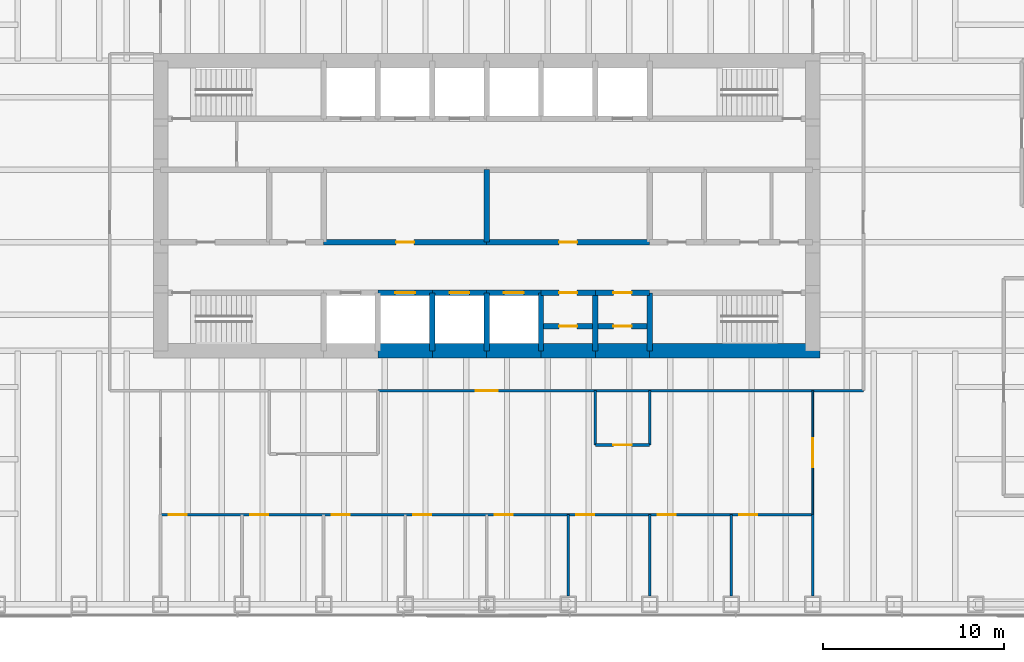
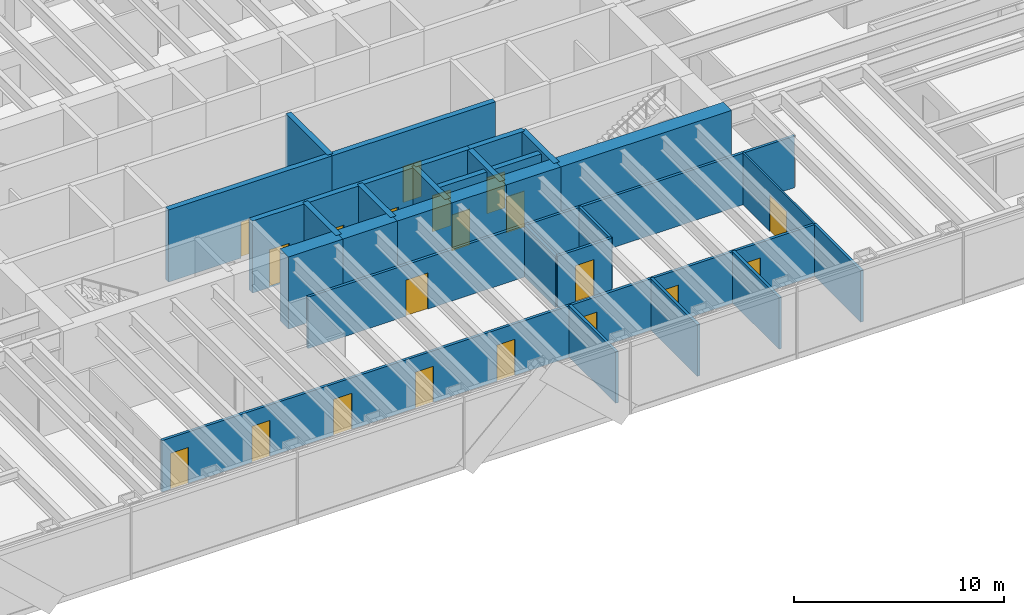
# One storey, part 11 of 14: 31 walls, 20 doors, 20 openings.
"""IFC4 building model written with IfcOpenShell, lengths in metres."""

import ifcopenshell
import ifcopenshell.guid

model = None  # the IFC model being written
_history = None  # IfcOwnerHistory: only IFC2X3 demands one
_inside = {}  # id of a spatial element -> (the spatial element, [elements in it])
_under = {}  # id of a project, library or spatial element -> (it, [spatial elements below it])
_declared = {}  # id of a project -> (the project, [libraries it declares])
_typed = {}  # id of a type object -> (the type object, [elements of that type])
_made_of = {}  # id of a material, layer set ... -> (it, [elements and type objects made of it])


def new_model(schema):
    """Start an empty IFC model of exactly this schema.

    Asked for "IFC4X3", IfcOpenShell would pick the latest addendum, in which some entities
    have other attributes; the version numbers below select the first issue.
    IFC2X3 requires an IfcOwnerHistory on every rooted entity: one is made here for all.
    """
    global model, _history
    if schema == "IFC4X3":
        model = ifcopenshell.file(schema_version=(4, 3, 0, 0))
    else:
        model = ifcopenshell.file(schema=schema)
    _inside.clear()
    _under.clear()
    _declared.clear()
    _typed.clear()
    _made_of.clear()
    _history = None
    if model.schema == "IFC2X3":
        org = make("IfcOrganization", Name="unknown")
        user = make(
            "IfcPersonAndOrganization",
            ThePerson=make("IfcPerson", FamilyName="unknown"),
            TheOrganization=org,
        )
        app = make(
            "IfcApplication",
            ApplicationDeveloper=org,
            Version="unknown",
            ApplicationFullName="unknown",
            ApplicationIdentifier="unknown",
        )
        _history = make(
            "IfcOwnerHistory",
            OwningUser=user,
            OwningApplication=app,
            ChangeAction="ADDED",
            CreationDate=0,
        )
    return model


def make(cls, **values):
    """One entity of the class cls with the attributes given. An attribute that is None is left unset."""
    return model.create_entity(
        cls, **{name: value for name, value in values.items() if value is not None}
    )


def rooted(cls, **values):
    """An entity with a GlobalId (a new one), such as an element, a storey or a relation."""
    return make(cls, GlobalId=ifcopenshell.guid.new(), OwnerHistory=_history, **values)


def si_unit(unit_type, name, prefix=None):
    """IfcSIUnit, for example si_unit("LENGTHUNIT", "METRE", prefix="MILLI")."""
    return make("IfcSIUnit", UnitType=unit_type, Prefix=prefix, Name=name)


def assignment(units):
    """IfcUnitAssignment: the units of a project."""
    return None if units is None else make("IfcUnitAssignment", Units=units)


def point(xyz):
    """IfcCartesianPoint."""
    return None if xyz is None else make("IfcCartesianPoint", Coordinates=xyz)


def direction(xyz):
    """IfcDirection."""
    return None if xyz is None else make("IfcDirection", DirectionRatios=xyz)


def frame(location, z_axis=None, x_axis=None):
    """IfcAxis2Placement3D, a coordinate frame: its origin and axes. An axis left out is left unset."""
    return make(
        "IfcAxis2Placement3D",
        Location=point(location),
        Axis=direction(z_axis),
        RefDirection=direction(x_axis),
    )


def frame_2d(location, x_axis=None):
    """IfcAxis2Placement2D, a coordinate frame in the plane: its origin and x axis."""
    return make(
        "IfcAxis2Placement2D", Location=point(location), RefDirection=direction(x_axis)
    )


def origin():
    """The frame at (0, 0, 0) with its axes left unset."""
    return frame((0.0, 0.0, 0.0))


def place(relative_to, where):
    """IfcLocalPlacement: puts the frame where relative to a parent placement (None: the world)."""
    return make(
        "IfcLocalPlacement", PlacementRelTo=relative_to, RelativePlacement=where
    )


def context(
    kind, dimensions, precision=None, world=None, true_north=None, identifier=None
):
    """IfcGeometricRepresentationContext, for example the 3D "Model" context."""
    return make(
        "IfcGeometricRepresentationContext",
        ContextIdentifier=identifier,
        ContextType=kind,
        CoordinateSpaceDimension=dimensions,
        Precision=precision,
        WorldCoordinateSystem=world,
        TrueNorth=true_north,
    )


def subcontext(parent, identifier, kind, view, scale=None):
    """IfcGeometricRepresentationSubContext, for example "Body" below "Model"."""
    return make(
        "IfcGeometricRepresentationSubContext",
        ContextIdentifier=identifier,
        ContextType=kind,
        ParentContext=parent,
        TargetScale=scale,
        TargetView=view,
    )


def project(units=None, contexts=None):
    """IfcProject with its units and contexts."""
    return rooted(
        "IfcProject",
        Name="project",
        RepresentationContexts=contexts,
        UnitsInContext=assignment(units),
    )


def spatial(cls, under=None, at=None, **own):
    """A site, building, storey or space (cls), placed at a placement, below another one or the project."""
    s = rooted(cls, ObjectPlacement=at, **own)
    if under is not None:
        _under.setdefault(under.id(), (under, []))[1].append(s)
    return s


def profile(cls, at=None, kind="AREA", **sizes):
    """A parametric profile (cls). Its sizes go by their IFC names, for example OverallWidth=200.0."""
    return make(cls, ProfileType=kind, Position=at, **sizes)


def rectangle(**sizes):
    """IfcRectangleProfileDef."""
    return profile("IfcRectangleProfileDef", **sizes)


def extrude(swept, where, along, depth):
    """IfcExtrudedAreaSolid: the profile swept, set in the frame where, extruded along a direction by depth."""
    return make(
        "IfcExtrudedAreaSolid",
        SweptArea=swept,
        Position=where,
        ExtrudedDirection=direction(along),
        Depth=depth,
    )


def shape(context_of_items, identifier, shape_type, items):
    """IfcShapeRepresentation: the items that make up one representation, for example the "Body"."""
    return make(
        "IfcShapeRepresentation",
        ContextOfItems=context_of_items,
        RepresentationIdentifier=identifier,
        RepresentationType=shape_type,
        Items=items,
    )


def material(Name=None, Category=None):
    """IfcMaterial."""
    return make("IfcMaterial", Name=Name, Category=Category)


def layer(
    of_material, thickness, ventilated=None, Name=None, Category=None, Priority=None
):
    """IfcMaterialLayer: one layer of a wall or slab, of a material (None: an air gap)."""
    return make(
        "IfcMaterialLayer",
        Material=of_material,
        LayerThickness=thickness,
        IsVentilated=ventilated,
        Name=Name,
        Category=Category,
        Priority=Priority,
    )


def layer_set(layers, Name=None):
    """IfcMaterialLayerSet."""
    return make("IfcMaterialLayerSet", MaterialLayers=layers, LayerSetName=Name)


def made_of(thing, what):
    """Note that an element or type object is made of a material, layer set ...; save() writes the relation."""
    if what is not None:
        _made_of.setdefault(what.id(), (what, []))[1].append(thing)
    return thing


def type_object(cls, material=None, **own):
    """A type object (cls), such as IfcWallType, which elements share."""
    return made_of(rooted(cls, **own), material)


def element(
    cls,
    number,
    at=None,
    inside=None,
    cuts=None,
    type_object=None,
    material=None,
    context=None,
    identifier="Body",
    shape_type=None,
    held_by="IfcProductDefinitionShape",
    body=None,
    shapes=None,
    **own,
):
    """One element of the class cls, such as IfcWall. Its Tag is "e" and its number.

    at: its placement. inside: the storey or other place that contains it. cuts: it is an
    opening in that element (IfcRelVoidsElement). A single representation is given by context,
    identifier, shape_type and body (its items); several are given by shapes. held_by: the class
    of the entity that holds the representations. save() writes the other relations.
    """
    e = rooted(cls, Tag="e%d" % number, ObjectPlacement=at, **own)
    if body is not None:
        shapes = [shape(context, identifier, shape_type, body)]
    if shapes is not None:
        e.Representation = make(held_by, Representations=shapes)
    if inside is not None:
        _inside.setdefault(inside.id(), (inside, []))[1].append(e)
    if cuts is not None:
        rooted(
            "IfcRelVoidsElement", RelatingBuildingElement=cuts, RelatedOpeningElement=e
        )
    if type_object is not None:
        _typed.setdefault(type_object.id(), (type_object, []))[1].append(e)
    return made_of(e, material)


def fill(opening, filler):
    """IfcRelFillsElement: the door or window that sits in an opening."""
    return rooted(
        "IfcRelFillsElement",
        RelatingOpeningElement=opening,
        RelatedBuildingElement=filler,
    )


def aggregate(whole, parts):
    """IfcRelAggregates: a whole, such as a stair, and the parts it consists of."""
    return rooted("IfcRelAggregates", RelatingObject=whole, RelatedObjects=parts)


def save(model, path):
    """Write the relations noted so far, then the file.

    IfcRelAggregates (storeys below a building ...), IfcRelContainedInSpatialStructure (elements
    in a storey), IfcRelDefinesByType, IfcRelAssociatesMaterial and IfcRelDeclares: one each for
    every whole, place, type object, material and project.
    """
    for whole, parts in _under.values():
        aggregate(whole, parts)
    for where, things in _inside.values():
        rooted(
            "IfcRelContainedInSpatialStructure",
            RelatedElements=things,
            RelatingStructure=where,
        )
    for kind, things in _typed.values():
        rooted("IfcRelDefinesByType", RelatedObjects=things, RelatingType=kind)
    for what, things in _made_of.values():
        rooted("IfcRelAssociatesMaterial", RelatedObjects=things, RelatingMaterial=what)
    for by, libraries in _declared.values():
        rooted("IfcRelDeclares", RelatingContext=by, RelatedDefinitions=libraries)
    model.write(path)


model = new_model("IFC4")

# Units and contexts
model_context = context("Model", 3, precision=1e-05, world=origin(), true_north=direction((0.0, 1.0)))
body_context = subcontext(model_context, "Body", "Model", "MODEL_VIEW")
ifc_project = project(units=[si_unit("LENGTHUNIT", "METRE"), si_unit("AREAUNIT", "SQUARE_METRE"), si_unit("VOLUMEUNIT", "CUBIC_METRE"), si_unit("PLANEANGLEUNIT", "RADIAN"), si_unit("MASSUNIT", "GRAM", prefix="KILO")], contexts=[model_context])

# Site, building, storey
site_placement = place(None, origin())
site = spatial("IfcSite", under=ifc_project, at=site_placement, CompositionType="ELEMENT")
building_placement = place(site_placement, origin())
building = spatial("IfcBuilding", under=site, at=building_placement, Name="Rheinbord Bourse Tower", CompositionType="ELEMENT")
storey_placement = place(building_placement, frame((0.0, 0.0, 211.0)))
storey = spatial("IfcBuildingStorey", under=building, at=storey_placement, Name="L47", CompositionType="ELEMENT", Elevation=211.0)

# Wall, opening, door
ifc_material_1 = material(Name="Concrete C50/60", Category="concrete")
ifc_layer_1 = layer(ifc_material_1, 0.300048828125)
ifc_layer_set_1 = layer_set([ifc_layer_1], Name="CORE INNER WALL 300")
wall_type_1 = type_object("IfcWallType", Name="CORE INNER WALL 300", PredefinedType="SOLIDWALL", material=ifc_layer_set_1)
wall_1_placement = place(storey_placement, frame((30.0, 19.199951171875, 0.0), z_axis=(0.0, 0.0, 1.0), x_axis=(1.0, 0.0, 0.0)))
wall_1 = element("IfcWall", 1, at=wall_1_placement, inside=storey, type_object=wall_type_1, Name="Core wall A3 L47", PredefinedType="SOLIDWALL", context=body_context, shape_type="SweptSolid", body=[
    extrude(rectangle(XDim=3.0, YDim=0.300048828125, at=frame_2d((1.5, 0.0))), origin(), (0.0, 0.0, 1.0), 4.199951171875),
])
opening_1_placement = place(wall_1_placement, frame((0.949951171875, 0.0, 0.0)))
opening_1 = element("IfcOpeningElement", 2, at=opening_1_placement, cuts=wall_1, Name="Opening PC1", PredefinedType="OPENING", context=body_context, shape_type="SweptSolid", body=[
    extrude(rectangle(XDim=1.10009765625, YDim=2.199951171875, at=frame_2d((0.550048828125, 1.10009765625))), frame((0.0, 0.159912109375, 0.0), z_axis=(0.0, -1.0, 0.0), x_axis=(1.0, 0.0, 0.0)), (0.0, 0.0, 1.0), 0.320068359375),
])
ifc_material_2 = material(Name="Steel landing door", Category="steel")
door_type_1 = type_object("IfcDoorType", Name="LIFT LANDING DOOR 1100", OperationType="DOUBLE_DOOR_SLIDING", PredefinedType="USERDEFINED", material=ifc_material_2)
door_1_placement = place(opening_1_placement, origin())
door_1 = element("IfcDoor", 3, at=door_1_placement, inside=storey, type_object=door_type_1, Name="Lift landing door PC1 L47", ObjectType="LIFT LANDING DOOR", OperationType="DOUBLE_DOOR_SLIDING", OverallHeight=2.199951171875, OverallWidth=1.10009765625, PredefinedType="USERDEFINED", context=body_context, shape_type="SweptSolid", body=[
    extrude(rectangle(XDim=1.10009765625, YDim=2.199951171875, at=frame_2d((0.550048828125, 1.10009765625))), frame((0.0, 0.02490234375, 0.0), z_axis=(0.0, -1.0, 0.0), x_axis=(1.0, 0.0, 0.0)), (0.0, 0.0, 1.0), 0.050048828125),
])
fill(opening_1, door_1)

wall_2_placement = place(storey_placement, frame((33.0, 19.199951171875, 0.0), z_axis=(0.0, 0.0, 1.0), x_axis=(1.0, 0.0, 0.0)))
wall_2 = element("IfcWall", 4, at=wall_2_placement, inside=storey, type_object=wall_type_1, Name="Core wall A4 L47", PredefinedType="SOLIDWALL", context=body_context, shape_type="SweptSolid", body=[
    extrude(rectangle(XDim=3.0, YDim=0.300048828125, at=frame_2d((1.5, 0.0))), origin(), (0.0, 0.0, 1.0), 4.199951171875),
])
opening_2_placement = place(wall_2_placement, frame((0.949951171875, 0.0, 0.0)))
opening_2 = element("IfcOpeningElement", 5, at=opening_2_placement, cuts=wall_2, Name="Opening PC2", PredefinedType="OPENING", context=body_context, shape_type="SweptSolid", body=[
    extrude(rectangle(XDim=1.10009765625, YDim=2.199951171875, at=frame_2d((0.550048828125, 1.10009765625))), frame((0.0, 0.159912109375, 0.0), z_axis=(0.0, -1.0, 0.0), x_axis=(1.0, 0.0, 0.0)), (0.0, 0.0, 1.0), 0.320068359375),
])
door_2_placement = place(opening_2_placement, origin())
door_2 = element("IfcDoor", 6, at=door_2_placement, inside=storey, type_object=door_type_1, Name="Lift landing door PC2 L47", ObjectType="LIFT LANDING DOOR", OperationType="DOUBLE_DOOR_SLIDING", OverallHeight=2.199951171875, OverallWidth=1.10009765625, PredefinedType="USERDEFINED", context=body_context, shape_type="SweptSolid", body=[
    extrude(rectangle(XDim=1.10009765625, YDim=2.199951171875, at=frame_2d((0.550048828125, 1.10009765625))), frame((0.0, 0.02490234375, 0.0), z_axis=(0.0, -1.0, 0.0), x_axis=(1.0, 0.0, 0.0)), (0.0, 0.0, 1.0), 0.050048828125),
])
fill(opening_2, door_2)

wall_3_placement = place(storey_placement, frame((36.0, 19.199951171875, 0.0), z_axis=(0.0, 0.0, 1.0), x_axis=(1.0, 0.0, 0.0)))
wall_3 = element("IfcWall", 7, at=wall_3_placement, inside=storey, type_object=wall_type_1, Name="Core wall A5 L47", PredefinedType="SOLIDWALL", context=body_context, shape_type="SweptSolid", body=[
    extrude(rectangle(XDim=3.0, YDim=0.300048828125, at=frame_2d((1.5, 0.0))), origin(), (0.0, 0.0, 1.0), 4.199951171875),
])
opening_3_placement = place(wall_3_placement, frame((0.949951171875, 0.0, 0.0)))
opening_3 = element("IfcOpeningElement", 8, at=opening_3_placement, cuts=wall_3, Name="Opening PC3", PredefinedType="OPENING", context=body_context, shape_type="SweptSolid", body=[
    extrude(rectangle(XDim=1.10009765625, YDim=2.199951171875, at=frame_2d((0.550048828125, 1.10009765625))), frame((0.0, 0.159912109375, 0.0), z_axis=(0.0, -1.0, 0.0), x_axis=(1.0, 0.0, 0.0)), (0.0, 0.0, 1.0), 0.320068359375),
])
door_3_placement = place(opening_3_placement, origin())
door_3 = element("IfcDoor", 9, at=door_3_placement, inside=storey, type_object=door_type_1, Name="Lift landing door PC3 L47", ObjectType="LIFT LANDING DOOR", OperationType="DOUBLE_DOOR_SLIDING", OverallHeight=2.199951171875, OverallWidth=1.10009765625, PredefinedType="USERDEFINED", context=body_context, shape_type="SweptSolid", body=[
    extrude(rectangle(XDim=1.10009765625, YDim=2.199951171875, at=frame_2d((0.550048828125, 1.10009765625))), frame((0.0, 0.02490234375, 0.0), z_axis=(0.0, -1.0, 0.0), x_axis=(1.0, 0.0, 0.0)), (0.0, 0.0, 1.0), 0.050048828125),
])
fill(opening_3, door_3)

wall_4_placement = place(storey_placement, frame((39.0, 19.199951171875, 0.0), z_axis=(0.0, 0.0, 1.0), x_axis=(1.0, 0.0, 0.0)))
wall_4 = element("IfcWall", 10, at=wall_4_placement, inside=storey, type_object=wall_type_1, Name="Core wall A6 L47", PredefinedType="SOLIDWALL", context=body_context, shape_type="SweptSolid", body=[
    extrude(rectangle(XDim=3.0, YDim=0.300048828125, at=frame_2d((1.5, 0.0))), origin(), (0.0, 0.0, 1.0), 4.199951171875),
])
opening_4_placement = place(wall_4_placement, frame((1.0, 0.0, 0.0)))
opening_4 = element("IfcOpeningElement", 11, at=opening_4_placement, cuts=wall_4, Name="Opening 47R8", PredefinedType="OPENING", context=body_context, shape_type="SweptSolid", body=[
    extrude(rectangle(XDim=1.0, YDim=2.10009765625, at=frame_2d((0.5, 1.050048828125))), frame((0.0, 0.159912109375, 0.0), z_axis=(0.0, -1.0, 0.0), x_axis=(1.0, 0.0, 0.0)), (0.0, 0.0, 1.0), 0.320068359375),
])
ifc_material_3 = material(Name="Steel door", Category="steel")
door_type_2 = type_object("IfcDoorType", Name="DOOR 1000 EI30", OperationType="SINGLE_SWING_LEFT", PredefinedType="DOOR", material=ifc_material_3)
door_4_placement = place(opening_4_placement, origin())
door_4 = element("IfcDoor", 12, at=door_4_placement, inside=storey, type_object=door_type_2, Name="IT room door L47", OperationType="SINGLE_SWING_LEFT", OverallHeight=2.10009765625, OverallWidth=1.0, PredefinedType="DOOR", context=body_context, shape_type="SweptSolid", body=[
    extrude(rectangle(XDim=1.0, YDim=2.10009765625, at=frame_2d((0.5, 1.050048828125))), frame((0.0, 0.02490234375, 0.0), z_axis=(0.0, -1.0, 0.0), x_axis=(1.0, 0.0, 0.0)), (0.0, 0.0, 1.0), 0.050048828125),
])
fill(opening_4, door_4)

wall_5_placement = place(storey_placement, frame((42.0, 19.199951171875, 0.0), z_axis=(0.0, 0.0, 1.0), x_axis=(1.0, 0.0, 0.0)))
wall_5 = element("IfcWall", 13, at=wall_5_placement, inside=storey, type_object=wall_type_1, Name="Core wall A7 L47", PredefinedType="SOLIDWALL", context=body_context, shape_type="SweptSolid", body=[
    extrude(rectangle(XDim=3.0, YDim=0.300048828125, at=frame_2d((1.5, 0.0))), origin(), (0.0, 0.0, 1.0), 4.199951171875),
])
opening_5_placement = place(wall_5_placement, frame((1.0, 0.0, 0.0)))
opening_5 = element("IfcOpeningElement", 14, at=opening_5_placement, cuts=wall_5, Name="Opening 47R9", PredefinedType="OPENING", context=body_context, shape_type="SweptSolid", body=[
    extrude(rectangle(XDim=1.0, YDim=2.10009765625, at=frame_2d((0.5, 1.050048828125))), frame((0.0, 0.159912109375, 0.0), z_axis=(0.0, -1.0, 0.0), x_axis=(1.0, 0.0, 0.0)), (0.0, 0.0, 1.0), 0.320068359375),
])
door_5_placement = place(opening_5_placement, origin())
door_5 = element("IfcDoor", 15, at=door_5_placement, inside=storey, type_object=door_type_2, Name="Cleaner's store door L47", OperationType="SINGLE_SWING_LEFT", OverallHeight=2.10009765625, OverallWidth=1.0, PredefinedType="DOOR", context=body_context, shape_type="SweptSolid", body=[
    extrude(rectangle(XDim=1.0, YDim=2.10009765625, at=frame_2d((0.5, 1.050048828125))), frame((0.0, 0.02490234375, 0.0), z_axis=(0.0, -1.0, 0.0), x_axis=(1.0, 0.0, 0.0)), (0.0, 0.0, 1.0), 0.050048828125),
])
fill(opening_5, door_5)

wall_6_placement = place(storey_placement, frame((27.0, 22.0, 0.0), z_axis=(0.0, 0.0, 1.0), x_axis=(1.0, 0.0, 0.0)))
wall_6 = element("IfcWall", 16, at=wall_6_placement, inside=storey, type_object=wall_type_1, Name="Core wall C3 L47", PredefinedType="SOLIDWALL", context=body_context, shape_type="SweptSolid", body=[
    extrude(rectangle(XDim=9.0, YDim=0.300048828125, at=frame_2d((4.5, 0.0))), origin(), (0.0, 0.0, 1.0), 4.199951171875),
])
opening_6_placement = place(wall_6_placement, frame((4.0, 0.0, 0.0)))
opening_6 = element("IfcOpeningElement", 17, at=opening_6_placement, cuts=wall_6, Name="Opening 47R3", PredefinedType="OPENING", context=body_context, shape_type="SweptSolid", body=[
    extrude(rectangle(XDim=1.0, YDim=2.10009765625, at=frame_2d((0.5, 1.050048828125))), frame((0.0, 0.159912109375, 0.0), z_axis=(0.0, -1.0, 0.0), x_axis=(1.0, 0.0, 0.0)), (0.0, 0.0, 1.0), 0.320068359375),
])
door_6_placement = place(opening_6_placement, origin())
door_6 = element("IfcDoor", 18, at=door_6_placement, inside=storey, type_object=door_type_2, Name="Riser door L47", OperationType="SINGLE_SWING_LEFT", OverallHeight=2.10009765625, OverallWidth=1.0, PredefinedType="DOOR", context=body_context, shape_type="SweptSolid", body=[
    extrude(rectangle(XDim=1.0, YDim=2.10009765625, at=frame_2d((0.5, 1.050048828125))), frame((0.0, 0.02490234375, 0.0), z_axis=(0.0, -1.0, 0.0), x_axis=(1.0, 0.0, 0.0)), (0.0, 0.0, 1.0), 0.050048828125),
])
fill(opening_6, door_6)

wall_7_placement = place(storey_placement, frame((36.0, 22.0, 0.0), z_axis=(0.0, 0.0, 1.0), x_axis=(1.0, 0.0, 0.0)))
wall_7 = element("IfcWall", 19, at=wall_7_placement, inside=storey, type_object=wall_type_1, Name="Core wall C4 L47", PredefinedType="SOLIDWALL", context=body_context, shape_type="SweptSolid", body=[
    extrude(rectangle(XDim=9.0, YDim=0.300048828125, at=frame_2d((4.5, 0.0))), origin(), (0.0, 0.0, 1.0), 4.199951171875),
])
opening_7_placement = place(wall_7_placement, frame((4.0, 0.0, 0.0)))
opening_7 = element("IfcOpeningElement", 20, at=opening_7_placement, cuts=wall_7, Name="Opening 47R4", PredefinedType="OPENING", context=body_context, shape_type="SweptSolid", body=[
    extrude(rectangle(XDim=1.0, YDim=2.10009765625, at=frame_2d((0.5, 1.050048828125))), frame((0.0, 0.159912109375, 0.0), z_axis=(0.0, -1.0, 0.0), x_axis=(1.0, 0.0, 0.0)), (0.0, 0.0, 1.0), 0.320068359375),
])
door_7_placement = place(opening_7_placement, origin())
door_7 = element("IfcDoor", 21, at=door_7_placement, inside=storey, type_object=door_type_2, Name="Store door L47", OperationType="SINGLE_SWING_LEFT", OverallHeight=2.10009765625, OverallWidth=1.0, PredefinedType="DOOR", context=body_context, shape_type="SweptSolid", body=[
    extrude(rectangle(XDim=1.0, YDim=2.10009765625, at=frame_2d((0.5, 1.050048828125))), frame((0.0, 0.02490234375, 0.0), z_axis=(0.0, -1.0, 0.0), x_axis=(1.0, 0.0, 0.0)), (0.0, 0.0, 1.0), 0.050048828125),
])
fill(opening_7, door_7)

# Walls
for number, where, z_axis, x_axis, name in (
    (22, (33.0, 16.0, 0.0), (0.0, 0.0, 1.0), (0.0, 1.0, 0.0), "Core wall SX33 L47"),
    (23, (36.0, 16.0, 0.0), (0.0, 0.0, 1.0), (0.0, 1.0, 0.0), "Core wall SX36 L47"),
    (24, (39.0, 16.0, 0.0), (0.0, 0.0, 1.0), (0.0, 1.0, 0.0), "Core wall SX39 L47"),
    (25, (42.0, 16.0, 0.0), (0.0, 0.0, 1.0), (0.0, 1.0, 0.0), "Core wall SX42 L47"),
    (26, (45.0, 16.0, 0.0), (0.0, 0.0, 1.0), (0.0, 1.0, 0.0), "Core wall SX45 L47"),
):
    element("IfcWall", number, at=place(storey_placement, frame(where, z_axis=z_axis, x_axis=x_axis)), inside=storey, type_object=wall_type_1, Name=name, PredefinedType="SOLIDWALL", context=body_context, shape_type="SweptSolid", body=[
        extrude(rectangle(XDim=3.199951171875, YDim=0.300048828125, at=frame_2d((1.60009765625, 0.0))), origin(), (0.0, 0.0, 1.0), 4.199951171875),
    ])
wall_8_placement = place(storey_placement, frame((36.0, 22.0, 0.0), z_axis=(0.0, 0.0, 1.0), x_axis=(0.0, 1.0, 0.0)))
element("IfcWall", 27, at=wall_8_placement, inside=storey, type_object=wall_type_1, Name="Core wall MX36 L47", PredefinedType="SOLIDWALL", context=body_context, shape_type="SweptSolid", body=[
    extrude(rectangle(XDim=4.0, YDim=0.300048828125, at=frame_2d((2.0, 0.0))), origin(), (0.0, 0.0, 1.0), 4.199951171875),
])

# Wall, opening, door
wall_9_placement = place(storey_placement, frame((39.14990234375, 17.35009765625, 0.0), z_axis=(0.0, 0.0, 1.0), x_axis=(1.0, 0.0, 0.0)))
wall_9 = element("IfcWall", 28, at=wall_9_placement, inside=storey, type_object=wall_type_1, Name="Core riser wall L47-6", PredefinedType="SOLIDWALL", context=body_context, shape_type="SweptSolid", body=[
    extrude(rectangle(XDim=2.7001953125, YDim=0.300048828125, at=frame_2d((1.35009765625, 0.0))), origin(), (0.0, 0.0, 1.0), 4.0400390625),
])
opening_8_placement = place(wall_9_placement, frame((0.85009765625, 0.0, 0.0)))
opening_8 = element("IfcOpeningElement", 29, at=opening_8_placement, cuts=wall_9, Name="Opening 47R12", PredefinedType="OPENING", context=body_context, shape_type="SweptSolid", body=[
    extrude(rectangle(XDim=1.0, YDim=2.10009765625, at=frame_2d((0.5, 1.050048828125))), frame((0.0, 0.159912109375, 0.0), z_axis=(0.0, -1.0, 0.0), x_axis=(1.0, 0.0, 0.0)), (0.0, 0.0, 1.0), 0.320068359375),
])
door_8_placement = place(opening_8_placement, origin())
door_8 = element("IfcDoor", 30, at=door_8_placement, inside=storey, type_object=door_type_2, Name="Comms riser door L47", OperationType="SINGLE_SWING_LEFT", OverallHeight=2.10009765625, OverallWidth=1.0, PredefinedType="DOOR", context=body_context, shape_type="SweptSolid", body=[
    extrude(rectangle(XDim=1.0, YDim=2.10009765625, at=frame_2d((0.5, 1.050048828125))), frame((0.0, 0.02490234375, 0.0), z_axis=(0.0, -1.0, 0.0), x_axis=(1.0, 0.0, 0.0)), (0.0, 0.0, 1.0), 0.050048828125),
])
fill(opening_8, door_8)

wall_10_placement = place(storey_placement, frame((42.14990234375, 17.35009765625, 0.0), z_axis=(0.0, 0.0, 1.0), x_axis=(1.0, 0.0, 0.0)))
wall_10 = element("IfcWall", 31, at=wall_10_placement, inside=storey, type_object=wall_type_1, Name="Core riser wall L47-7", PredefinedType="SOLIDWALL", context=body_context, shape_type="SweptSolid", body=[
    extrude(rectangle(XDim=2.7001953125, YDim=0.300048828125, at=frame_2d((1.35009765625, 0.0))), origin(), (0.0, 0.0, 1.0), 4.0400390625),
])
opening_9_placement = place(wall_10_placement, frame((0.85009765625, 0.0, 0.0)))
opening_9 = element("IfcOpeningElement", 32, at=opening_9_placement, cuts=wall_10, Name="Opening 47R13", PredefinedType="OPENING", context=body_context, shape_type="SweptSolid", body=[
    extrude(rectangle(XDim=1.0, YDim=2.10009765625, at=frame_2d((0.5, 1.050048828125))), frame((0.0, 0.159912109375, 0.0), z_axis=(0.0, -1.0, 0.0), x_axis=(1.0, 0.0, 0.0)), (0.0, 0.0, 1.0), 0.320068359375),
])
door_9_placement = place(opening_9_placement, origin())
door_9 = element("IfcDoor", 33, at=door_9_placement, inside=storey, type_object=door_type_2, Name="Electrical riser door L47", OperationType="SINGLE_SWING_LEFT", OverallHeight=2.10009765625, OverallWidth=1.0, PredefinedType="DOOR", context=body_context, shape_type="SweptSolid", body=[
    extrude(rectangle(XDim=1.0, YDim=2.10009765625, at=frame_2d((0.5, 1.050048828125))), frame((0.0, 0.02490234375, 0.0), z_axis=(0.0, -1.0, 0.0), x_axis=(1.0, 0.0, 0.0)), (0.0, 0.0, 1.0), 0.050048828125),
])
fill(opening_9, door_9)

# Walls
ifc_material_4 = material(Name="Concrete C50/60", Category="concrete")
ifc_layer_2 = layer(ifc_material_4, 0.800048828125)
ifc_layer_set_2 = layer_set([ifc_layer_2], Name="CORE WALL 800")
wall_type_2 = type_object("IfcWallType", Name="CORE WALL 800", PredefinedType="SHEAR", material=ifc_layer_set_2)
for number, where, z_axis, x_axis, name in (
    (34, (30.0, 16.0, 0.0), (0.0, 0.0, 1.0), (1.0, 0.0, 0.0), "Core wall S3 L47"),
    (35, (33.0, 16.0, 0.0), (0.0, 0.0, 1.0), (1.0, 0.0, 0.0), "Core wall S4 L47"),
    (36, (36.0, 16.0, 0.0), (0.0, 0.0, 1.0), (1.0, 0.0, 0.0), "Core wall S5 L47"),
    (37, (39.0, 16.0, 0.0), (0.0, 0.0, 1.0), (1.0, 0.0, 0.0), "Core wall S6 L47"),
    (38, (42.0, 16.0, 0.0), (0.0, 0.0, 1.0), (1.0, 0.0, 0.0), "Core wall S7 L47"),
):
    element("IfcWall", number, at=place(storey_placement, frame(where, z_axis=z_axis, x_axis=x_axis)), inside=storey, type_object=wall_type_2, Name=name, PredefinedType="SHEAR", context=body_context, shape_type="SweptSolid", body=[
        extrude(rectangle(XDim=3.0, YDim=0.800048828125, at=frame_2d((1.5, 0.0))), origin(), (0.0, 0.0, 1.0), 4.199951171875),
    ])
wall_11_placement = place(storey_placement, frame((45.0, 16.0, 0.0), z_axis=(0.0, 0.0, 1.0), x_axis=(1.0, 0.0, 0.0)))
element("IfcWall", 39, at=wall_11_placement, inside=storey, type_object=wall_type_2, Name="Core wall S8 L47", PredefinedType="SHEAR", context=body_context, shape_type="SweptSolid", body=[
    extrude(rectangle(XDim=9.39990234375, YDim=0.800048828125, at=frame_2d((4.699951171875, 0.0))), origin(), (0.0, 0.0, 1.0), 4.199951171875),
])

# Wall, opening, door
ifc_material_5 = material(Name="Gypsum board corridor partition", Category="gypsum board")
ifc_layer_3 = layer(ifc_material_5, 0.14990234375)
ifc_layer_set_3 = layer_set([ifc_layer_3], Name="CORRIDOR PARTITION 150 EI30")
wall_type_3 = type_object("IfcWallType", Name="CORRIDOR PARTITION 150 EI30", PredefinedType="PARTITIONING", material=ifc_layer_set_3)
wall_12_placement = place(storey_placement, frame((30.0, 13.800048828125, 0.0), z_axis=(0.0, 0.0, 1.0), x_axis=(1.0, 0.0, 0.0)))
wall_12 = element("IfcWall", 40, at=wall_12_placement, inside=storey, type_object=wall_type_3, Name="Partition L47-08", PredefinedType="PARTITIONING", context=body_context, shape_type="SweptSolid", body=[
    extrude(rectangle(XDim=26.800048828125, YDim=0.14990234375, at=frame_2d((13.39990234375, 0.0))), origin(), (0.0, 0.0, 1.0), 3.0),
])
opening_10_placement = place(wall_12_placement, frame((5.39990234375, 0.0, 0.0)))
opening_10 = element("IfcOpeningElement", 41, at=opening_10_placement, cuts=wall_12, Name="Opening 47D29", PredefinedType="OPENING", context=body_context, shape_type="SweptSolid", body=[
    extrude(rectangle(XDim=1.199951171875, YDim=2.10009765625, at=frame_2d((0.60009765625, 1.050048828125))), frame((0.0, 0.0849609375, 0.0), z_axis=(0.0, -1.0, 0.0), x_axis=(1.0, 0.0, 0.0)), (0.0, 0.0, 1.0), 0.169921875),
])
ifc_material_6 = material(Name="Timber fire door", Category="wood")
door_type_3 = type_object("IfcDoorType", Name="SUITE ENTRANCE DOOR 1200 EI30", OperationType="SINGLE_SWING_LEFT", PredefinedType="DOOR", material=ifc_material_6)
door_10_placement = place(opening_10_placement, origin())
door_10 = element("IfcDoor", 42, at=door_10_placement, inside=storey, type_object=door_type_3, Name="Suite entrance 3 door L47", OperationType="SINGLE_SWING_LEFT", OverallHeight=2.10009765625, OverallWidth=1.199951171875, PredefinedType="DOOR", context=body_context, shape_type="SweptSolid", body=[
    extrude(rectangle(XDim=1.199951171875, YDim=2.10009765625, at=frame_2d((0.60009765625, 1.050048828125))), frame((0.0, 0.02490234375, 0.0), z_axis=(0.0, -1.0, 0.0), x_axis=(1.0, 0.0, 0.0)), (0.0, 0.0, 1.0), 0.050048828125),
])
fill(opening_10, door_10)

ifc_material_7 = material(Name="Toughened laminated glass partition", Category="glass")
ifc_layer_4 = layer(ifc_material_7, 0.10009765625)
ifc_layer_set_4 = layer_set([ifc_layer_4], Name="GLAZED PARTITION 100")
wall_type_4 = type_object("IfcWallType", Name="GLAZED PARTITION 100", PredefinedType="PARTITIONING", material=ifc_layer_set_4)
wall_13_placement = place(storey_placement, frame((54.0, 6.949951171875, 0.0), z_axis=(0.0, 0.0, 1.0), x_axis=(0.0, 1.0, 0.0)))
wall_13 = element("IfcWall", 43, at=wall_13_placement, inside=storey, type_object=wall_type_4, Name="Partition L47-41", PredefinedType="PARTITIONING", context=body_context, shape_type="SweptSolid", body=[
    extrude(rectangle(XDim=6.85009765625, YDim=0.10009765625, at=frame_2d((3.425048828125, 0.0))), origin(), (0.0, 0.0, 1.0), 3.0),
])
opening_11_placement = place(wall_13_placement, frame((2.625, 0.0, 0.0)))
opening_11 = element("IfcOpeningElement", 44, at=opening_11_placement, cuts=wall_13, Name="Opening 47D25", PredefinedType="OPENING", context=body_context, shape_type="SweptSolid", body=[
    extrude(rectangle(XDim=1.60009765625, YDim=2.10009765625, at=frame_2d((0.800048828125, 1.050048828125))), frame((0.0, 0.06005859375, 0.0), z_axis=(0.0, -1.0, 0.0), x_axis=(1.0, 0.0, 0.0)), (0.0, 0.0, 1.0), 0.1201171875),
])
ifc_material_8 = material(Name="Timber door", Category="wood")
door_type_4 = type_object("IfcDoorType", Name="DOUBLE ROOM DOOR 1600", OperationType="DOUBLE_DOOR_DOUBLE_SWING", PredefinedType="DOOR", material=ifc_material_8)
door_11_placement = place(opening_11_placement, origin())
door_11 = element("IfcDoor", 45, at=door_11_placement, inside=storey, type_object=door_type_4, Name="Open area door L47", OperationType="SINGLE_SWING_LEFT", OverallHeight=2.10009765625, OverallWidth=1.60009765625, PredefinedType="DOOR", context=body_context, shape_type="SweptSolid", body=[
    extrude(rectangle(XDim=1.60009765625, YDim=2.10009765625, at=frame_2d((0.800048828125, 1.050048828125))), frame((0.0, 0.02490234375, 0.0), z_axis=(0.0, -1.0, 0.0), x_axis=(1.0, 0.0, 0.0)), (0.0, 0.0, 1.0), 0.050048828125),
])
fill(opening_11, door_11)

# Wall, openings, doors
ifc_material_9 = material(Name="Gypsum board partition", Category="gypsum board")
ifc_layer_5 = layer(ifc_material_9, 0.14990234375)
ifc_layer_set_5 = layer_set([ifc_layer_5], Name="PARTITION 150")
wall_type_5 = type_object("IfcWallType", Name="PARTITION 150", PredefinedType="PARTITIONING", material=ifc_layer_set_5)
wall_14_placement = place(storey_placement, frame((18.0, 6.949951171875, 0.0), z_axis=(0.0, 0.0, 1.0), x_axis=(1.0, 0.0, 0.0)))
wall_14 = element("IfcWall", 46, at=wall_14_placement, inside=storey, type_object=wall_type_5, Name="Partition L47-01", PredefinedType="PARTITIONING", context=body_context, shape_type="SweptSolid", body=[
    extrude(rectangle(XDim=36.0, YDim=0.14990234375, at=frame_2d((18.0, 0.0))), origin(), (0.0, 0.0, 1.0), 3.0),
])
opening_12_placement = place(wall_14_placement, frame((0.449951171875, 0.0, 0.0)))
opening_12 = element("IfcOpeningElement", 47, at=opening_12_placement, cuts=wall_14, Name="Opening 47D01", PredefinedType="OPENING", context=body_context, shape_type="SweptSolid", body=[
    extrude(rectangle(XDim=1.0, YDim=2.10009765625, at=frame_2d((0.5, 1.050048828125))), frame((0.0, 0.0849609375, 0.0), z_axis=(0.0, -1.0, 0.0), x_axis=(1.0, 0.0, 0.0)), (0.0, 0.0, 1.0), 0.169921875),
])
opening_13_placement = place(wall_14_placement, frame((4.949951171875, 0.0, 0.0)))
opening_13 = element("IfcOpeningElement", 48, at=opening_13_placement, cuts=wall_14, Name="Opening 47D02", PredefinedType="OPENING", context=body_context, shape_type="SweptSolid", body=[
    extrude(rectangle(XDim=1.0, YDim=2.10009765625, at=frame_2d((0.5, 1.050048828125))), frame((0.0, 0.0849609375, 0.0), z_axis=(0.0, -1.0, 0.0), x_axis=(1.0, 0.0, 0.0)), (0.0, 0.0, 1.0), 0.169921875),
])
opening_14_placement = place(wall_14_placement, frame((9.449951171875, 0.0, 0.0)))
opening_14 = element("IfcOpeningElement", 49, at=opening_14_placement, cuts=wall_14, Name="Opening 47D03", PredefinedType="OPENING", context=body_context, shape_type="SweptSolid", body=[
    extrude(rectangle(XDim=1.0, YDim=2.10009765625, at=frame_2d((0.5, 1.050048828125))), frame((0.0, 0.0849609375, 0.0), z_axis=(0.0, -1.0, 0.0), x_axis=(1.0, 0.0, 0.0)), (0.0, 0.0, 1.0), 0.169921875),
])
opening_15_placement = place(wall_14_placement, frame((13.949951171875, 0.0, 0.0)))
opening_15 = element("IfcOpeningElement", 50, at=opening_15_placement, cuts=wall_14, Name="Opening 47D04", PredefinedType="OPENING", context=body_context, shape_type="SweptSolid", body=[
    extrude(rectangle(XDim=1.0, YDim=2.10009765625, at=frame_2d((0.5, 1.050048828125))), frame((0.0, 0.0849609375, 0.0), z_axis=(0.0, -1.0, 0.0), x_axis=(1.0, 0.0, 0.0)), (0.0, 0.0, 1.0), 0.169921875),
])
opening_16_placement = place(wall_14_placement, frame((18.449951171875, 0.0, 0.0)))
opening_16 = element("IfcOpeningElement", 51, at=opening_16_placement, cuts=wall_14, Name="Opening 47D05", PredefinedType="OPENING", context=body_context, shape_type="SweptSolid", body=[
    extrude(rectangle(XDim=1.0, YDim=2.10009765625, at=frame_2d((0.5, 1.050048828125))), frame((0.0, 0.0849609375, 0.0), z_axis=(0.0, -1.0, 0.0), x_axis=(1.0, 0.0, 0.0)), (0.0, 0.0, 1.0), 0.169921875),
])
opening_17_placement = place(wall_14_placement, frame((22.949951171875, 0.0, 0.0)))
opening_17 = element("IfcOpeningElement", 52, at=opening_17_placement, cuts=wall_14, Name="Opening 47D06", PredefinedType="OPENING", context=body_context, shape_type="SweptSolid", body=[
    extrude(rectangle(XDim=1.0, YDim=2.10009765625, at=frame_2d((0.5, 1.050048828125))), frame((0.0, 0.0849609375, 0.0), z_axis=(0.0, -1.0, 0.0), x_axis=(1.0, 0.0, 0.0)), (0.0, 0.0, 1.0), 0.169921875),
])
opening_18_placement = place(wall_14_placement, frame((27.449951171875, 0.0, 0.0)))
opening_18 = element("IfcOpeningElement", 53, at=opening_18_placement, cuts=wall_14, Name="Opening 47D07", PredefinedType="OPENING", context=body_context, shape_type="SweptSolid", body=[
    extrude(rectangle(XDim=1.0, YDim=2.10009765625, at=frame_2d((0.5, 1.050048828125))), frame((0.0, 0.0849609375, 0.0), z_axis=(0.0, -1.0, 0.0), x_axis=(1.0, 0.0, 0.0)), (0.0, 0.0, 1.0), 0.169921875),
])
opening_19_placement = place(wall_14_placement, frame((31.949951171875, 0.0, 0.0)))
opening_19 = element("IfcOpeningElement", 54, at=opening_19_placement, cuts=wall_14, Name="Opening 47D08", PredefinedType="OPENING", context=body_context, shape_type="SweptSolid", body=[
    extrude(rectangle(XDim=1.0, YDim=2.10009765625, at=frame_2d((0.5, 1.050048828125))), frame((0.0, 0.0849609375, 0.0), z_axis=(0.0, -1.0, 0.0), x_axis=(1.0, 0.0, 0.0)), (0.0, 0.0, 1.0), 0.169921875),
])
ifc_material_10 = material(Name="Timber door", Category="wood")
door_type_5 = type_object("IfcDoorType", Name="ROOM DOOR 1000", OperationType="SINGLE_SWING_LEFT", PredefinedType="DOOR", material=ifc_material_10)
door_12_placement = place(opening_12_placement, origin())
door_12 = element("IfcDoor", 55, at=door_12_placement, inside=storey, type_object=door_type_5, Name="Office door L47", OperationType="SINGLE_SWING_LEFT", OverallHeight=2.10009765625, OverallWidth=1.0, PredefinedType="DOOR", context=body_context, shape_type="SweptSolid", body=[
    extrude(rectangle(XDim=1.0, YDim=2.10009765625, at=frame_2d((0.5, 1.050048828125))), frame((0.0, 0.02490234375, 0.0), z_axis=(0.0, -1.0, 0.0), x_axis=(1.0, 0.0, 0.0)), (0.0, 0.0, 1.0), 0.050048828125),
])
fill(opening_12, door_12)
door_13_placement = place(opening_13_placement, origin())
door_13 = element("IfcDoor", 56, at=door_13_placement, inside=storey, type_object=door_type_5, Name="Office door L47", OperationType="SINGLE_SWING_LEFT", OverallHeight=2.10009765625, OverallWidth=1.0, PredefinedType="DOOR", context=body_context, shape_type="SweptSolid", body=[
    extrude(rectangle(XDim=1.0, YDim=2.10009765625, at=frame_2d((0.5, 1.050048828125))), frame((0.0, 0.02490234375, 0.0), z_axis=(0.0, -1.0, 0.0), x_axis=(1.0, 0.0, 0.0)), (0.0, 0.0, 1.0), 0.050048828125),
])
fill(opening_13, door_13)
door_14_placement = place(opening_14_placement, origin())
door_14 = element("IfcDoor", 57, at=door_14_placement, inside=storey, type_object=door_type_5, Name="Office door L47", OperationType="SINGLE_SWING_LEFT", OverallHeight=2.10009765625, OverallWidth=1.0, PredefinedType="DOOR", context=body_context, shape_type="SweptSolid", body=[
    extrude(rectangle(XDim=1.0, YDim=2.10009765625, at=frame_2d((0.5, 1.050048828125))), frame((0.0, 0.02490234375, 0.0), z_axis=(0.0, -1.0, 0.0), x_axis=(1.0, 0.0, 0.0)), (0.0, 0.0, 1.0), 0.050048828125),
])
fill(opening_14, door_14)
door_15_placement = place(opening_15_placement, origin())
door_15 = element("IfcDoor", 58, at=door_15_placement, inside=storey, type_object=door_type_5, Name="Office door L47", OperationType="SINGLE_SWING_LEFT", OverallHeight=2.10009765625, OverallWidth=1.0, PredefinedType="DOOR", context=body_context, shape_type="SweptSolid", body=[
    extrude(rectangle(XDim=1.0, YDim=2.10009765625, at=frame_2d((0.5, 1.050048828125))), frame((0.0, 0.02490234375, 0.0), z_axis=(0.0, -1.0, 0.0), x_axis=(1.0, 0.0, 0.0)), (0.0, 0.0, 1.0), 0.050048828125),
])
fill(opening_15, door_15)
door_16_placement = place(opening_16_placement, origin())
door_16 = element("IfcDoor", 59, at=door_16_placement, inside=storey, type_object=door_type_5, Name="Office door L47", OperationType="SINGLE_SWING_RIGHT", OverallHeight=2.10009765625, OverallWidth=1.0, PredefinedType="DOOR", context=body_context, shape_type="SweptSolid", body=[
    extrude(rectangle(XDim=1.0, YDim=2.10009765625, at=frame_2d((0.5, 1.050048828125))), frame((0.0, 0.02490234375, 0.0), z_axis=(0.0, -1.0, 0.0), x_axis=(1.0, 0.0, 0.0)), (0.0, 0.0, 1.0), 0.050048828125),
])
fill(opening_16, door_16)
door_17_placement = place(opening_17_placement, origin())
door_17 = element("IfcDoor", 60, at=door_17_placement, inside=storey, type_object=door_type_5, Name="Office door L47", OperationType="SINGLE_SWING_RIGHT", OverallHeight=2.10009765625, OverallWidth=1.0, PredefinedType="DOOR", context=body_context, shape_type="SweptSolid", body=[
    extrude(rectangle(XDim=1.0, YDim=2.10009765625, at=frame_2d((0.5, 1.050048828125))), frame((0.0, 0.02490234375, 0.0), z_axis=(0.0, -1.0, 0.0), x_axis=(1.0, 0.0, 0.0)), (0.0, 0.0, 1.0), 0.050048828125),
])
fill(opening_17, door_17)
door_18_placement = place(opening_18_placement, origin())
door_18 = element("IfcDoor", 61, at=door_18_placement, inside=storey, type_object=door_type_5, Name="Office door L47", OperationType="SINGLE_SWING_RIGHT", OverallHeight=2.10009765625, OverallWidth=1.0, PredefinedType="DOOR", context=body_context, shape_type="SweptSolid", body=[
    extrude(rectangle(XDim=1.0, YDim=2.10009765625, at=frame_2d((0.5, 1.050048828125))), frame((0.0, 0.02490234375, 0.0), z_axis=(0.0, -1.0, 0.0), x_axis=(1.0, 0.0, 0.0)), (0.0, 0.0, 1.0), 0.050048828125),
])
fill(opening_18, door_18)
door_19_placement = place(opening_19_placement, origin())
door_19 = element("IfcDoor", 62, at=door_19_placement, inside=storey, type_object=door_type_5, Name="Office door L47", OperationType="SINGLE_SWING_RIGHT", OverallHeight=2.10009765625, OverallWidth=1.0, PredefinedType="DOOR", context=body_context, shape_type="SweptSolid", body=[
    extrude(rectangle(XDim=1.0, YDim=2.10009765625, at=frame_2d((0.5, 1.050048828125))), frame((0.0, 0.02490234375, 0.0), z_axis=(0.0, -1.0, 0.0), x_axis=(1.0, 0.0, 0.0)), (0.0, 0.0, 1.0), 0.050048828125),
])
fill(opening_19, door_19)

# Wall, opening, door
wall_15_placement = place(storey_placement, frame((42.0, 10.800048828125, 0.0), z_axis=(0.0, 0.0, 1.0), x_axis=(1.0, 0.0, 0.0)))
wall_15 = element("IfcWall", 63, at=wall_15_placement, inside=storey, type_object=wall_type_5, Name="Partition L47-04", PredefinedType="PARTITIONING", context=body_context, shape_type="SweptSolid", body=[
    extrude(rectangle(XDim=3.0, YDim=0.14990234375, at=frame_2d((1.5, 0.0))), origin(), (0.0, 0.0, 1.0), 3.0),
])
opening_20_placement = place(wall_15_placement, frame((1.0, 0.0, 0.0)))
opening_20 = element("IfcOpeningElement", 64, at=opening_20_placement, cuts=wall_15, Name="Opening 47D10", PredefinedType="OPENING", context=body_context, shape_type="SweptSolid", body=[
    extrude(rectangle(XDim=1.0, YDim=2.10009765625, at=frame_2d((0.5, 1.050048828125))), frame((0.0, 0.0849609375, 0.0), z_axis=(0.0, -1.0, 0.0), x_axis=(1.0, 0.0, 0.0)), (0.0, 0.0, 1.0), 0.169921875),
])
door_20_placement = place(opening_20_placement, origin())
door_20 = element("IfcDoor", 65, at=door_20_placement, inside=storey, type_object=door_type_5, Name="Print room door L47", OperationType="SINGLE_SWING_LEFT", OverallHeight=2.10009765625, OverallWidth=1.0, PredefinedType="DOOR", context=body_context, shape_type="SweptSolid", body=[
    extrude(rectangle(XDim=1.0, YDim=2.10009765625, at=frame_2d((0.5, 1.050048828125))), frame((0.0, 0.02490234375, 0.0), z_axis=(0.0, -1.0, 0.0), x_axis=(1.0, 0.0, 0.0)), (0.0, 0.0, 1.0), 0.050048828125),
])
fill(opening_20, door_20)

# Walls
wall_16_placement = place(storey_placement, frame((40.5, 2.449951171875, 0.0), z_axis=(0.0, 0.0, 1.0), x_axis=(0.0, 1.0, 0.0)))
element("IfcWall", 66, at=wall_16_placement, inside=storey, type_object=wall_type_5, Name="Partition L47-32", PredefinedType="PARTITIONING", context=body_context, shape_type="SweptSolid", body=[
    extrude(rectangle(XDim=4.5, YDim=0.14990234375, at=frame_2d((2.25, 0.0))), origin(), (0.0, 0.0, 1.0), 3.0),
])
wall_17_placement = place(storey_placement, frame((42.0, 10.800048828125, 0.0), z_axis=(0.0, 0.0, 1.0), x_axis=(0.0, 1.0, 0.0)))
element("IfcWall", 67, at=wall_17_placement, inside=storey, type_object=wall_type_5, Name="Partition L47-34", PredefinedType="PARTITIONING", context=body_context, shape_type="SweptSolid", body=[
    extrude(rectangle(XDim=3.0, YDim=0.14990234375, at=frame_2d((1.5, 0.0))), origin(), (0.0, 0.0, 1.0), 3.0),
])
wall_18_placement = place(storey_placement, frame((45.0, 2.449951171875, 0.0), z_axis=(0.0, 0.0, 1.0), x_axis=(0.0, 1.0, 0.0)))
element("IfcWall", 68, at=wall_18_placement, inside=storey, type_object=wall_type_5, Name="Partition L47-35", PredefinedType="PARTITIONING", context=body_context, shape_type="SweptSolid", body=[
    extrude(rectangle(XDim=4.5, YDim=0.14990234375, at=frame_2d((2.25, 0.0))), origin(), (0.0, 0.0, 1.0), 3.0),
])
wall_19_placement = place(storey_placement, frame((45.0, 10.800048828125, 0.0), z_axis=(0.0, 0.0, 1.0), x_axis=(0.0, 1.0, 0.0)))
element("IfcWall", 69, at=wall_19_placement, inside=storey, type_object=wall_type_5, Name="Partition L47-36", PredefinedType="PARTITIONING", context=body_context, shape_type="SweptSolid", body=[
    extrude(rectangle(XDim=3.0, YDim=0.14990234375, at=frame_2d((1.5, 0.0))), origin(), (0.0, 0.0, 1.0), 3.0),
])
for number, where, z_axis, x_axis, name in (
    (70, (49.5, 2.449951171875, 0.0), (0.0, 0.0, 1.0), (0.0, 1.0, 0.0), "Partition L47-38"),
    (71, (54.0, 2.449951171875, 0.0), (0.0, 0.0, 1.0), (0.0, 1.0, 0.0), "Partition L47-40"),
):
    element("IfcWall", number, at=place(storey_placement, frame(where, z_axis=z_axis, x_axis=x_axis)), inside=storey, type_object=wall_type_5, Name=name, PredefinedType="PARTITIONING", context=body_context, shape_type="SweptSolid", body=[
        extrude(rectangle(XDim=4.5, YDim=0.14990234375, at=frame_2d((2.25, 0.0))), origin(), (0.0, 0.0, 1.0), 3.0),
    ])

save(model, "model.ifc")
